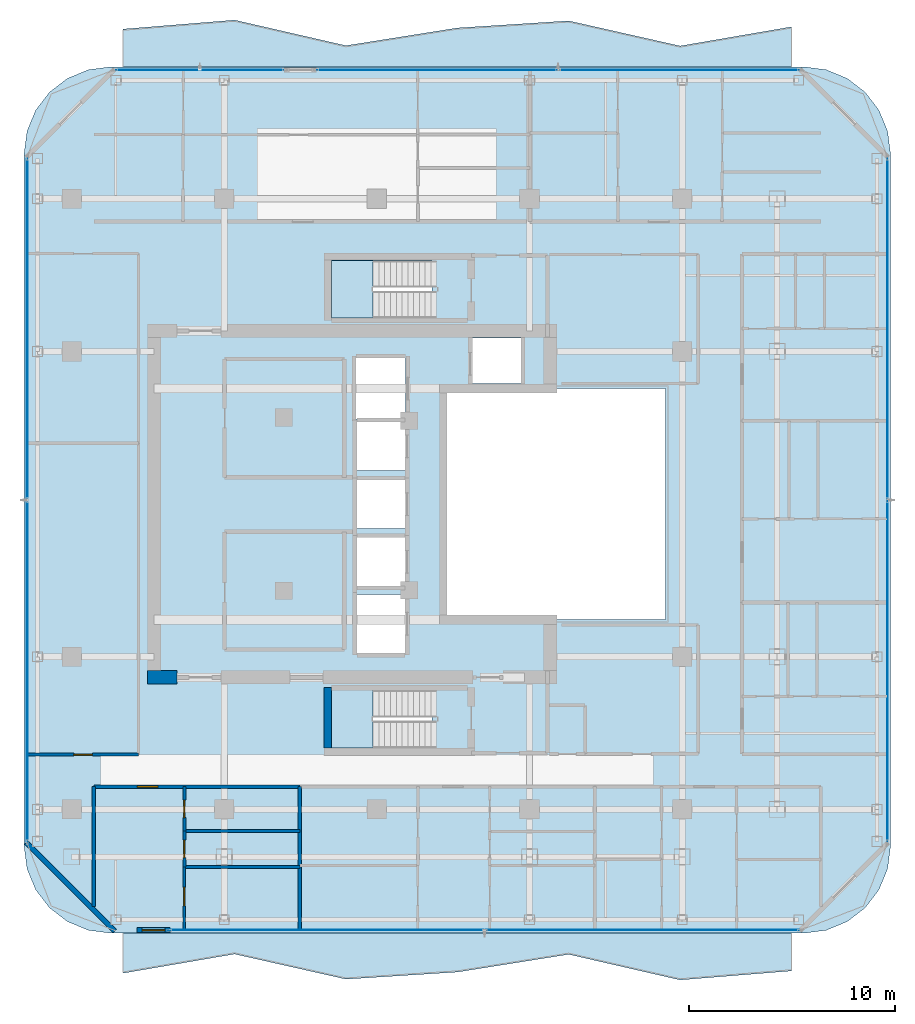
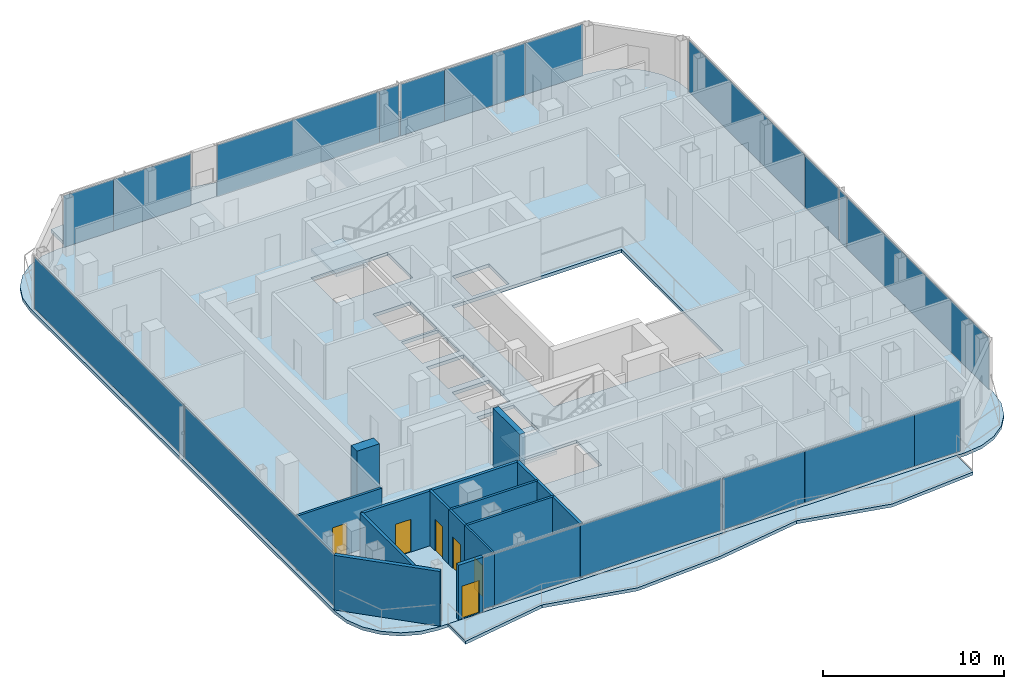
# One storey, part 16 of 26: 19 plates, 13 walls, 6 doors, 5 slabs, 6 openings, 7 elements without a shape of their own.
"""IFC4 building model written with IfcOpenShell, lengths in metres."""

from ifc_helpers import new_model, si_unit, direction, frame, frame_2d, origin, origin_2d, place, context, subcontext, project, spatial, polyline, rectangle, outline, extrude, material, layer, layer_set, type_object, element, fill, aggregate, save


model = new_model("IFC4")

# Units and contexts
model_context = context("Model", 3, precision=1e-05, world=origin(), true_north=direction((0.0, 1.0)))
body_context = subcontext(model_context, "Body", "Model", "MODEL_VIEW")
ifc_project = project(units=[si_unit("LENGTHUNIT", "METRE"), si_unit("AREAUNIT", "SQUARE_METRE"), si_unit("VOLUMEUNIT", "CUBIC_METRE"), si_unit("PLANEANGLEUNIT", "RADIAN"), si_unit("MASSUNIT", "GRAM", prefix="KILO")], contexts=[model_context])

# Site, building, storey
site_placement = place(None, origin())
site = spatial("IfcSite", under=ifc_project, at=site_placement, CompositionType="ELEMENT")
building_placement = place(site_placement, origin())
building = spatial("IfcBuilding", under=site, at=building_placement, Name="Khorvyn Point Tower", CompositionType="ELEMENT")
storey_placement = place(building_placement, frame((0.0, 0.0, 262.5)))
storey = spatial("IfcBuildingStorey", under=building, at=storey_placement, Name="L64", CompositionType="ELEMENT", Elevation=262.5)

# Slabs
ifc_material_1 = material(Name="Concrete C35/45", Category="concrete")
ifc_layer_1 = layer(ifc_material_1, 0.219970703125)
ifc_layer_set_1 = layer_set([ifc_layer_1], Name="Concrete C35/45 Structural Floor Slab 220")
slab_type_1 = type_object("IfcSlabType", Name="Concrete C35/45 Structural Floor Slab 220", PredefinedType="FLOOR", material=ifc_layer_set_1)
slab_1_placement = place(storey_placement, frame((0.0, 0.0, -0.219970703125)))
element("IfcSlab", 1, at=slab_1_placement, inside=storey, type_object=slab_type_1, Name="L64 Main Structural Floor Slab", PredefinedType="FLOOR", context=body_context, shape_type="SweptSolid", body=[
    extrude(outline(polyline([(-12.89990234375, -20.800048828125), (-13.987060546875, -20.656982421875), (-15.0, -20.2373046875), (-15.869873046875, -19.56982421875), (-16.537353515625, -18.699951171875), (-16.956787109375, -17.68701171875), (-17.10009765625, -16.60009765625), (-17.10009765625, 17.0), (-16.956787109375, 18.0869140625), (-16.537353515625, 19.10009765625), (-15.869873046875, 19.9697265625), (-15.0, 20.63720703125), (-13.987060546875, 21.056884765625), (-12.89990234375, 21.199951171875), (20.699951171875, 21.199951171875), (21.787109375, 21.056884765625), (22.800048828125, 20.63720703125), (23.669921875, 19.9697265625), (24.33740234375, 19.10009765625), (24.7568359375, 18.0869140625), (24.89990234375, 17.0), (24.89990234375, -16.60009765625), (24.7568359375, -17.68701171875), (24.33740234375, -18.699951171875), (23.669921875, -19.56982421875), (22.800048828125, -20.2373046875), (21.787109375, -20.656982421875), (20.699951171875, -20.800048828125), (-12.89990234375, -20.800048828125)]), holes=[polyline([(2.679931640625, -11.820068359375), (2.679931640625, -9.02001953125), (-2.199951171875, -9.02001953125), (-2.199951171875, -11.820068359375), (2.679931640625, -11.820068359375)]), polyline([(1.375, -7.22509765625), (1.375, -4.375), (-0.97509765625, -4.375), (-0.97509765625, -7.22509765625), (1.375, -7.22509765625)]), polyline([(1.375, -3.97509765625), (1.375, -1.625), (-0.97509765625, -1.625), (-0.97509765625, -3.97509765625), (1.375, -3.97509765625)]), polyline([(1.375, -1.175048828125), (1.375, 1.175048828125), (-0.97509765625, 1.175048828125), (-0.97509765625, -1.175048828125), (1.375, -1.175048828125)]), polyline([(14.0, -5.60009765625), (14.0, 5.60009765625), (3.199951171875, 5.60009765625), (3.199951171875, -5.60009765625), (14.0, -5.60009765625)]), polyline([(1.375, 1.625), (1.375, 3.97509765625), (-0.97509765625, 3.97509765625), (-0.97509765625, 1.625), (1.375, 1.625)]), polyline([(1.39990234375, 4.125), (1.39990234375, 7.074951171875), (-1.0, 7.074951171875), (-1.0, 4.125), (1.39990234375, 4.125)]), polyline([(4.625, 5.85009765625), (6.97509765625, 5.85009765625), (6.97509765625, 8.054931640625), (4.625, 8.054931640625), (4.625, 5.85009765625)]), polyline([(-2.199951171875, 9.02001953125), (2.679931640625, 9.02001953125), (2.679931640625, 11.820068359375), (-2.199951171875, 11.820068359375), (-2.199951171875, 9.02001953125)])]), origin(), (0.0, 0.0, 1.0), 0.219970703125),
])
ifc_material_2 = material(Name="Concrete C40/50", Category="concrete")
ifc_layer_2 = layer(ifc_material_2, 0.2099609375)
ifc_layer_set_2 = layer_set([ifc_layer_2], Name="Concrete C40/50 Rippling Balcony Slab 210")
slab_type_2 = type_object("IfcSlabType", Name="Concrete C40/50 Rippling Balcony Slab 210", PredefinedType="USERDEFINED", material=ifc_layer_set_2)
slab_2_placement = place(storey_placement, frame((0.0, 0.0, -0.2099609375)))
element("IfcSlab", 2, at=slab_2_placement, inside=storey, type_object=slab_type_2, Name="L64 North Sinusoidal Rippling Balcony", ObjectType="BALCONY", PredefinedType="USERDEFINED", context=body_context, shape_type="SweptSolid", body=[
    extrude(outline(polyline([(20.10009765625, 21.199951171875), (20.10009765625, 23.1416015625), (14.699951171875, 22.21240234375), (9.300048828125, 23.43017578125), (3.89990234375, 23.086669921875), (-1.5, 22.22802734375), (-6.89990234375, 23.46875), (-12.300048828125, 23.031005859375), (-12.300048828125, 21.199951171875), (20.10009765625, 21.199951171875)])), origin(), (0.0, 0.0, 1.0), 0.2099609375),
])
slab_3_placement = place(storey_placement, frame((0.0, 0.0, -0.2099609375)))
element("IfcSlab", 3, at=slab_3_placement, inside=storey, type_object=slab_type_2, Name="L64 South Sinusoidal Rippling Balcony", ObjectType="BALCONY", PredefinedType="USERDEFINED", context=body_context, shape_type="SweptSolid", body=[
    extrude(outline(polyline([(-12.300048828125, -20.800048828125), (-12.300048828125, -22.741455078125), (-6.89990234375, -21.8125), (-1.5, -23.0302734375), (3.89990234375, -22.686767578125), (9.300048828125, -21.827880859375), (14.699951171875, -23.06884765625), (20.10009765625, -22.630859375), (20.10009765625, -20.800048828125), (-12.300048828125, -20.800048828125)])), origin(), (0.0, 0.0, 1.0), 0.2099609375),
])

# Stair, slab
stair_type = type_object("IfcStairType", Name="Tower Concrete C40/50 Dogleg Exit Stair", PredefinedType="HALF_TURN_STAIR", material=ifc_material_2)
stair_1_placement = place(storey_placement, origin())
stair_1 = element("IfcStair", 4, at=stair_1_placement, inside=storey, type_object=stair_type, Name="L64 Tower Smokeproof Exit Stair South", PredefinedType="HALF_TURN_STAIR")
ifc_layer_3 = layer(ifc_material_2, 0.199951171875)
ifc_layer_set_3 = layer_set([ifc_layer_3], Name="Concrete C40/50 Stair Landing Slab 200")
slab_type_3 = type_object("IfcSlabType", Name="Concrete C40/50 Stair Landing Slab 200", PredefinedType="LANDING", material=ifc_layer_set_3)
slab_4_placement = place(storey_placement, frame((0.0, 0.0, 1.75)))
slab_4 = element("IfcSlab", 5, at=slab_4_placement, type_object=slab_type_3, Name="ST-01 landing 1", PredefinedType="LANDING", context=body_context, shape_type="SweptSolid", body=[
    extrude(outline(polyline([(-0.179931640625, -9.02001953125), (-2.199951171875, -9.02001953125), (-2.199951171875, -11.820068359375), (-0.179931640625, -11.820068359375), (-0.179931640625, -9.02001953125)])), origin(), (0.0, 0.0, 1.0), 0.199951171875),
])
aggregate(stair_1, [slab_4])

stair_2_placement = place(storey_placement, origin())
stair_2 = element("IfcStair", 6, at=stair_2_placement, inside=storey, type_object=stair_type, Name="L64 Tower Smokeproof Exit Stair North", PredefinedType="HALF_TURN_STAIR")
slab_5_placement = place(storey_placement, frame((0.0, 0.0, 1.75)))
slab_5 = element("IfcSlab", 7, at=slab_5_placement, type_object=slab_type_3, Name="ST-02 landing 1", PredefinedType="LANDING", context=body_context, shape_type="SweptSolid", body=[
    extrude(outline(polyline([(-0.179931640625, 11.820068359375), (-2.199951171875, 11.820068359375), (-2.199951171875, 9.02001953125), (-0.179931640625, 9.02001953125), (-0.179931640625, 11.820068359375)])), origin(), (0.0, 0.0, 1.0), 0.199951171875),
])
aggregate(stair_2, [slab_5])

# Curtain wall, plates
ifc_material_3 = material(Name="Anodised aluminium 6063-T6 and laminated Low-E glass", Category="aluminium")
ifc_layer_4 = layer(ifc_material_3, 0.18994140625)
ifc_layer_set_4 = layer_set([ifc_layer_4], Name="Stick-Built High-Wind Curtain Wall CW-SYS-04")
curtain_wall_type = type_object("IfcCurtainWallType", Name="Stick-Built High-Wind Curtain Wall CW-SYS-04", PredefinedType="NOTDEFINED", material=ifc_layer_set_4)
curtain_wall_1_placement = place(storey_placement, origin())
curtain_wall_1 = element("IfcCurtainWall", 8, at=curtain_wall_1_placement, inside=storey, type_object=curtain_wall_type, Name="Curtain Wall", PredefinedType="NOTDEFINED")
ifc_material_4 = material(Name="Laminated Low-E insulated glass", Category="glass")
ifc_layer_5 = layer(ifc_material_4, 0.028076171875)
ifc_layer_set_5 = layer_set([ifc_layer_5], Name="Tempered Low-E Vision Glazing Panel CW-GL28")
plate_type = type_object("IfcPlateType", Name="Tempered Low-E Vision Glazing Panel CW-GL28", PredefinedType="CURTAIN_PANEL", material=ifc_layer_set_5)
plate_1_placement = place(storey_placement, frame((7.88818359375, -20.64990234375, 0.10009765625), z_axis=(0.0, 0.0, 1.0), x_axis=(-1.0, 0.0, 0.0)))
plate_1 = element("IfcPlate", 9, at=plate_1_placement, type_object=plate_type, Name="Panel", PredefinedType="CURTAIN_PANEL", context=body_context, shape_type="SweptSolid", body=[
    extrude(rectangle(XDim=5.2275390625, YDim=0.028076171875, at=origin_2d()), origin(), (0.0, 0.0, 1.0), 3.47998046875),
])
plate_2_placement = place(storey_placement, frame((14.00439453125, -20.64990234375, 0.10009765625), z_axis=(0.0, 0.0, 1.0), x_axis=(-1.0, 0.0, 0.0)))
plate_2 = element("IfcPlate", 10, at=plate_2_placement, type_object=plate_type, Name="Panel", PredefinedType="CURTAIN_PANEL", context=body_context, shape_type="SweptSolid", body=[
    extrude(rectangle(XDim=6.989013671875, YDim=0.028076171875, at=origin_2d()), origin(), (0.0, 0.0, 1.0), 3.47998046875),
])
plate_3_placement = place(storey_placement, frame((18.9765625, -20.64990234375, 0.10009765625), z_axis=(0.0, 0.0, 1.0), x_axis=(-1.0, 0.0, 0.0)))
plate_3 = element("IfcPlate", 11, at=plate_3_placement, type_object=plate_type, Name="Panel", PredefinedType="CURTAIN_PANEL", context=body_context, shape_type="SweptSolid", body=[
    extrude(rectangle(XDim=2.93896484375, YDim=0.028076171875, at=origin_2d()), origin(), (0.0, 0.0, 1.0), 3.47998046875),
])
plate_4_placement = place(storey_placement, frame((-9.637939453125, -20.64990234375, 0.10009765625), z_axis=(0.0, 0.0, 1.0), x_axis=(-1.0, 0.0, 0.0)))
plate_4 = element("IfcPlate", 12, at=plate_4_placement, type_object=plate_type, Name="Panel", PredefinedType="CURTAIN_PANEL", context=body_context, shape_type="SweptSolid", body=[
    extrude(rectangle(XDim=0.73388671875, YDim=0.028076171875, at=origin_2d()), origin(), (0.0, 0.0, 1.0), 3.47998046875),
])
plate_5_placement = place(storey_placement, frame((-6.531005859375, -20.64990234375, 0.10009765625), z_axis=(0.0, 0.0, 1.0), x_axis=(-1.0, 0.0, 0.0)))
plate_5 = element("IfcPlate", 13, at=plate_5_placement, type_object=plate_type, Name="Panel", PredefinedType="CURTAIN_PANEL", context=body_context, shape_type="SweptSolid", body=[
    extrude(rectangle(XDim=5.464111328125, YDim=0.028076171875, at=origin_2d()), origin(), (0.0, 0.0, 1.0), 3.47998046875),
])
plate_6_placement = place(storey_placement, frame((0.687744140625, -20.64990234375, 0.10009765625), z_axis=(0.0, 0.0, 1.0), x_axis=(-1.0, 0.0, 0.0)))
plate_6 = element("IfcPlate", 14, at=plate_6_placement, type_object=plate_type, Name="Panel", PredefinedType="CURTAIN_PANEL", context=body_context, shape_type="SweptSolid", body=[
    extrude(rectangle(XDim=8.95751953125, YDim=0.028076171875, at=origin_2d()), origin(), (0.0, 0.0, 1.0), 3.47998046875),
])
aggregate(curtain_wall_1, [plate_1, plate_2, plate_3, plate_4, plate_5, plate_6])

curtain_wall_2_placement = place(storey_placement, origin())
curtain_wall_2 = element("IfcCurtainWall", 15, at=curtain_wall_2_placement, inside=storey, type_object=curtain_wall_type, Name="Curtain Wall", PredefinedType="NOTDEFINED")
plate_7_placement = place(storey_placement, frame((-11.052490234375, 21.050048828125, 0.10009765625), z_axis=(0.0, 0.0, 1.0), x_axis=(1.0, 0.0, 0.0)))
plate_7 = element("IfcPlate", 16, at=plate_7_placement, type_object=plate_type, Name="Panel", PredefinedType="CURTAIN_PANEL", context=body_context, shape_type="SweptSolid", body=[
    extrude(rectangle(XDim=3.18701171875, YDim=0.028076171875, at=origin_2d()), origin(), (0.0, 0.0, 1.0), 3.47998046875),
])
plate_8_placement = place(storey_placement, frame((-6.989990234375, 21.050048828125, 0.10009765625), z_axis=(0.0, 0.0, 1.0), x_axis=(1.0, 0.0, 0.0)))
plate_8 = element("IfcPlate", 17, at=plate_8_placement, type_object=plate_type, Name="Panel", PredefinedType="CURTAIN_PANEL", context=body_context, shape_type="SweptSolid", body=[
    extrude(rectangle(XDim=4.922119140625, YDim=0.028076171875, at=origin_2d()), origin(), (0.0, 0.0, 1.0), 3.47998046875),
])
aggregate(curtain_wall_2, [plate_7, plate_8])

curtain_wall_3_placement = place(storey_placement, origin())
curtain_wall_3 = element("IfcCurtainWall", 18, at=curtain_wall_3_placement, inside=storey, type_object=curtain_wall_type, Name="Curtain Wall", PredefinedType="NOTDEFINED")
plate_9_placement = place(storey_placement, frame((2.299560546875, 21.050048828125, 0.10009765625), z_axis=(0.0, 0.0, 1.0), x_axis=(1.0, 0.0, 0.0)))
plate_9 = element("IfcPlate", 19, at=plate_9_placement, type_object=plate_type, Name="Panel", PredefinedType="CURTAIN_PANEL", context=body_context, shape_type="SweptSolid", body=[
    extrude(rectangle(XDim=10.361083984375, YDim=0.028076171875, at=origin_2d()), origin(), (0.0, 0.0, 1.0), 3.47998046875),
])
plate_10_placement = place(storey_placement, frame((8.108154296875, 21.050048828125, 0.10009765625), z_axis=(0.0, 0.0, 1.0), x_axis=(1.0, 0.0, 0.0)))
plate_10 = element("IfcPlate", 20, at=plate_10_placement, type_object=plate_type, Name="Panel", PredefinedType="CURTAIN_PANEL", context=body_context, shape_type="SweptSolid", body=[
    extrude(rectangle(XDim=1.240478515625, YDim=0.028076171875, at=origin_2d()), origin(), (0.0, 0.0, 1.0), 3.47998046875),
])
plate_11_placement = place(storey_placement, frame((10.228271484375, 21.050048828125, 0.10009765625), z_axis=(0.0, 0.0, 1.0), x_axis=(1.0, 0.0, 0.0)))
plate_11 = element("IfcPlate", 21, at=plate_11_placement, type_object=plate_type, Name="Panel", PredefinedType="CURTAIN_PANEL", context=body_context, shape_type="SweptSolid", body=[
    extrude(rectangle(XDim=2.783447265625, YDim=0.028076171875, at=origin_2d()), origin(), (0.0, 0.0, 1.0), 3.47998046875),
])
plate_12_placement = place(storey_placement, frame((14.2109375, 21.050048828125, 0.10009765625), z_axis=(0.0, 0.0, 1.0), x_axis=(1.0, 0.0, 0.0)))
plate_12 = element("IfcPlate", 22, at=plate_12_placement, type_object=plate_type, Name="Panel", PredefinedType="CURTAIN_PANEL", context=body_context, shape_type="SweptSolid", body=[
    extrude(rectangle(XDim=5.166015625, YDim=0.028076171875, at=origin_2d()), origin(), (0.0, 0.0, 1.0), 3.47998046875),
])
plate_13_placement = place(storey_placement, frame((18.6240234375, 21.050048828125, 0.10009765625), z_axis=(0.0, 0.0, 1.0), x_axis=(1.0, 0.0, 0.0)))
plate_13 = element("IfcPlate", 23, at=plate_13_placement, type_object=plate_type, Name="Panel", PredefinedType="CURTAIN_PANEL", context=body_context, shape_type="SweptSolid", body=[
    extrude(rectangle(XDim=3.64404296875, YDim=0.028076171875, at=origin_2d()), origin(), (0.0, 0.0, 1.0), 3.47998046875),
])
aggregate(curtain_wall_3, [plate_9, plate_10, plate_11, plate_12, plate_13])

curtain_wall_4_placement = place(storey_placement, origin())
curtain_wall_4 = element("IfcCurtainWall", 24, at=curtain_wall_4_placement, inside=storey, type_object=curtain_wall_type, Name="Curtain Wall", PredefinedType="NOTDEFINED")
plate_14_placement = place(storey_placement, frame((-16.949951171875, -8.10009765625, 0.10009765625), z_axis=(0.0, 0.0, 1.0), x_axis=(0.0, 1.0, 0.0)))
plate_14 = element("IfcPlate", 25, at=plate_14_placement, type_object=plate_type, Name="Panel", PredefinedType="CURTAIN_PANEL", context=body_context, shape_type="SweptSolid", body=[
    extrude(rectangle(XDim=16.5, YDim=0.028076171875, at=origin_2d()), origin(), (0.0, 0.0, 1.0), 3.47998046875),
])
plate_15_placement = place(storey_placement, frame((-16.949951171875, 8.5, 0.10009765625), z_axis=(0.0, 0.0, 1.0), x_axis=(0.0, 1.0, 0.0)))
plate_15 = element("IfcPlate", 26, at=plate_15_placement, type_object=plate_type, Name="Panel", PredefinedType="CURTAIN_PANEL", context=body_context, shape_type="SweptSolid", body=[
    extrude(rectangle(XDim=16.5, YDim=0.028076171875, at=origin_2d()), origin(), (0.0, 0.0, 1.0), 3.47998046875),
])
aggregate(curtain_wall_4, [plate_14, plate_15])

curtain_wall_5_placement = place(storey_placement, origin())
curtain_wall_5 = element("IfcCurtainWall", 27, at=curtain_wall_5_placement, inside=storey, type_object=curtain_wall_type, Name="Curtain Wall", PredefinedType="NOTDEFINED")
plate_16_placement = place(storey_placement, frame((24.75, 2.114990234375, 0.10009765625), z_axis=(0.0, 0.0, 1.0), x_axis=(0.0, -1.0, 0.0)))
plate_16 = element("IfcPlate", 28, at=plate_16_placement, type_object=plate_type, Name="Panel", PredefinedType="CURTAIN_PANEL", context=body_context, shape_type="SweptSolid", body=[
    extrude(rectangle(XDim=3.721923828125, YDim=0.028076171875, at=origin_2d()), origin(), (0.0, 0.0, 1.0), 3.47998046875),
])
plate_17_placement = place(storey_placement, frame((24.75, 10.364990234375, 0.10009765625), z_axis=(0.0, 0.0, 1.0), x_axis=(0.0, -1.0, 0.0)))
plate_17 = element("IfcPlate", 29, at=plate_17_placement, type_object=plate_type, Name="Panel", PredefinedType="CURTAIN_PANEL", context=body_context, shape_type="SweptSolid", body=[
    extrude(rectangle(XDim=12.761962890625, YDim=0.028076171875, at=origin_2d()), origin(), (0.0, 0.0, 1.0), 3.47998046875),
])
plate_18_placement = place(storey_placement, frame((24.75, -8.5029296875, 0.10009765625), z_axis=(0.0, 0.0, 1.0), x_axis=(0.0, -1.0, 0.0)))
plate_18 = element("IfcPlate", 30, at=plate_18_placement, type_object=plate_type, Name="Panel", PredefinedType="CURTAIN_PANEL", context=body_context, shape_type="SweptSolid", body=[
    extrude(rectangle(XDim=15.68603515625, YDim=0.028076171875, at=origin_2d()), origin(), (0.0, 0.0, 1.0), 3.47998046875),
])
plate_19_placement = place(storey_placement, frame((24.75, -0.2529296875, 0.10009765625), z_axis=(0.0, 0.0, 1.0), x_axis=(0.0, -1.0, 0.0)))
plate_19 = element("IfcPlate", 31, at=plate_19_placement, type_object=plate_type, Name="Panel", PredefinedType="CURTAIN_PANEL", context=body_context, shape_type="SweptSolid", body=[
    extrude(rectangle(XDim=0.798095703125, YDim=0.028076171875, at=origin_2d()), origin(), (0.0, 0.0, 1.0), 3.47998046875),
])
aggregate(curtain_wall_5, [plate_16, plate_17, plate_18, plate_19])

# Wall, opening, door
ifc_material_5 = material(Name="Double acoustic gypsum on twin steel stud", Category="steel")
ifc_layer_6 = layer(ifc_material_5, 0.179931640625)
ifc_layer_set_6 = layer_set([ifc_layer_6], Name="Acoustic Double-Stud Apartment Demising Wall 180")
wall_type_1 = type_object("IfcWallType", Name="Acoustic Double-Stud Apartment Demising Wall 180", PredefinedType="PARTITIONING", material=ifc_layer_set_6)
wall_1_placement = place(storey_placement, frame((-13.719970703125, -13.699951171875, 0.0), z_axis=(0.0, 0.0, 1.0), x_axis=(1.0, 0.0, 0.0)))
wall_1 = element("IfcWall", 32, at=wall_1_placement, inside=storey, type_object=wall_type_1, Name="Wall", PredefinedType="PARTITIONING", context=body_context, shape_type="SweptSolid", body=[
    extrude(rectangle(XDim=9.98486328125, YDim=0.179931640625, at=frame_2d((4.992431640625, 0.0))), origin(), (0.0, 0.0, 1.0), 3.679931640625),
])
opening_1_placement = place(wall_1_placement, frame((2.105224609375, 0.0, 0.0)))
opening_1 = element("IfcOpeningElement", 33, at=opening_1_placement, cuts=wall_1, Name="Opening ID-AP60", PredefinedType="OPENING", context=body_context, shape_type="SweptSolid", body=[
    extrude(rectangle(XDim=1.0, YDim=2.199951171875, at=frame_2d((0.5, 1.10009765625))), frame((0.0, 0.099853515625, 0.0), z_axis=(0.0, -1.0, 0.0), x_axis=(1.0, 0.0, 0.0)), (0.0, 0.0, 1.0), 0.199951171875),
])
ifc_material_6 = material(Name="Engineered hardwood fire-rated leaf", Category="wood")
door_type_1 = type_object("IfcDoorType", Name="Acoustic Solid-Core Timber Apartment Entrance Door 1000x2200", OperationType="NOTDEFINED", PredefinedType="DOOR", material=ifc_material_6)
door_1_placement = place(opening_1_placement, origin())
door_1 = element("IfcDoor", 34, at=door_1_placement, inside=storey, type_object=door_type_1, Name="Door", OperationType="SINGLE_SWING_RIGHT", OverallHeight=2.199951171875, OverallWidth=1.0, PredefinedType="DOOR", context=body_context, shape_type="SweptSolid", body=[
    extrude(rectangle(XDim=1.0, YDim=2.199951171875, at=frame_2d((0.5, 1.10009765625))), frame((0.0, 0.02490234375, 0.0), z_axis=(0.0, -1.0, 0.0), x_axis=(1.0, 0.0, 0.0)), (0.0, 0.0, 1.0), 0.050048828125),
])
fill(opening_1, door_1)

# Walls
wall_2_placement = place(storey_placement, frame((-13.719970703125, -19.510009765625, 0.0), z_axis=(0.0, 0.0, 1.0), x_axis=(0.0, 1.0, 0.0)))
element("IfcWall", 35, at=wall_2_placement, inside=storey, type_object=wall_type_1, Name="Wall", PredefinedType="PARTITIONING", context=body_context, shape_type="SweptSolid", body=[
    extrude(rectangle(XDim=5.81005859375, YDim=0.179931640625, at=frame_2d((2.905029296875, 0.0))), origin(), (0.0, 0.0, 1.0), 3.679931640625),
])
wall_3_placement = place(storey_placement, frame((-3.735107421875, -20.6298828125, 0.0), z_axis=(0.0, 0.0, 1.0), x_axis=(0.0, 1.0, 0.0)))
element("IfcWall", 36, at=wall_3_placement, inside=storey, type_object=wall_type_1, Name="Wall", PredefinedType="PARTITIONING", context=body_context, shape_type="SweptSolid", body=[
    extrude(rectangle(XDim=6.929931640625, YDim=0.179931640625, at=frame_2d((3.46484375, 0.0))), origin(), (0.0, 0.0, 1.0), 3.679931640625),
])

# Wall, opening, door
ifc_material_7 = material(Name="Pale anodised aluminium rainscreen on steel stud", Category="steel")
ifc_layer_7 = layer(ifc_material_7, 0.239990234375)
ifc_layer_set_7 = layer_set([ifc_layer_7], Name="Anodised Aluminium Insulated Corner Spandrel Wall 240")
wall_type_2 = type_object("IfcWallType", Name="Anodised Aluminium Insulated Corner Spandrel Wall 240", PredefinedType="SOLIDWALL", material=ifc_layer_set_7)
wall_4_placement = place(storey_placement, frame((-10.0390625, -20.64990234375, 0.0), z_axis=(0.0, 0.0, 1.0), x_axis=(-1.0, 0.0, 0.0)))
wall_4 = element("IfcWall", 37, at=wall_4_placement, inside=storey, type_object=wall_type_2, Name="L64 South Outdoor Threshold Wall", PredefinedType="SOLIDWALL", context=body_context, shape_type="SweptSolid", body=[
    extrude(rectangle(XDim=1.579833984375, YDim=0.239990234375, at=frame_2d((0.7900390625, 0.0))), origin(), (0.0, 0.0, 1.0), 3.679931640625),
])
opening_2_placement = place(wall_4_placement, frame((0.239990234375, 0.0, 0.0)))
opening_2 = element("IfcOpeningElement", 38, at=opening_2_placement, cuts=wall_4, Name="Opening BD-1122", PredefinedType="OPENING", context=body_context, shape_type="SweptSolid", body=[
    extrude(rectangle(XDim=1.10009765625, YDim=2.199951171875, at=frame_2d((0.550048828125, 1.10009765625))), frame((0.0, 0.1298828125, 0.0), z_axis=(0.0, -1.0, 0.0), x_axis=(1.0, 0.0, 0.0)), (0.0, 0.0, 1.0), 0.260009765625),
])
door_type_2 = type_object("IfcDoorType", Name="Glazed Balcony and Terrace Threshold Door 1100x2200", OperationType="NOTDEFINED", PredefinedType="DOOR", material=ifc_material_3)
door_2_placement = place(opening_2_placement, origin())
door_2 = element("IfcDoor", 39, at=door_2_placement, inside=storey, type_object=door_type_2, Name="L64 South Glazed Balcony Outdoor Door", OperationType="SINGLE_SWING_RIGHT", OverallHeight=2.199951171875, OverallWidth=1.10009765625, PredefinedType="DOOR", context=body_context, shape_type="SweptSolid", body=[
    extrude(rectangle(XDim=1.10009765625, YDim=2.199951171875, at=frame_2d((0.550048828125, 1.10009765625))), frame((0.0, 0.02490234375, 0.0), z_axis=(0.0, -1.0, 0.0), x_axis=(1.0, 0.0, 0.0)), (0.0, 0.0, 1.0), 0.050048828125),
])
fill(opening_2, door_2)

# Walls
wall_5_placement = place(storey_placement, frame((-12.70751953125, -20.6923828125, 0.0), z_axis=(0.0, 0.0, 1.0), x_axis=(-0.707126925818, 0.707086635981, 0.0)))
element("IfcWall", 40, at=wall_5_placement, inside=storey, type_object=wall_type_2, Name="L64 Rounded Corner Wall SW", PredefinedType="SOLIDWALL", context=body_context, shape_type="SweptSolid", body=[
    extrude(rectangle(XDim=6.0595703125, YDim=0.239990234375, at=frame_2d((3.02978515625, 0.0))), origin(), (0.0, 0.0, 1.0), 3.679931640625),
])
ifc_layer_8 = layer(ifc_material_2, 0.64990234375)
ifc_layer_set_8 = layer_set([ifc_layer_8], Name="Concrete C40/50 Core Shear Wall 650")
wall_type_3 = type_object("IfcWallType", Name="Concrete C40/50 Core Shear Wall 650", PredefinedType="SHEAR", material=ifc_layer_set_8)
wall_6_placement = place(storey_placement, frame((-11.125, -8.39990234375, 0.0), z_axis=(0.0, 0.0, 1.0), x_axis=(1.0, 0.0, 0.0)))
element("IfcWall", 41, at=wall_6_placement, inside=storey, type_object=wall_type_3, Name="Wall", PredefinedType="SHEAR", context=body_context, shape_type="SweptSolid", body=[
    extrude(rectangle(XDim=1.425048828125, YDim=0.64990234375, at=frame_2d((0.71240234375, 0.0))), origin(), (0.0, 0.0, 1.0), 3.89990234375),
])
ifc_layer_9 = layer(ifc_material_2, 0.35009765625)
ifc_layer_set_9 = layer_set([ifc_layer_9], Name="Concrete C40/50 Stair Shaft Structural Wall 350")
wall_type_4 = type_object("IfcWallType", Name="Concrete C40/50 Stair Shaft Structural Wall 350", PredefinedType="SHEAR", material=ifc_layer_set_9)
wall_7_placement = place(storey_placement, frame((-2.3798828125, -11.824951171875, 0.0), z_axis=(0.0, 0.0, 1.0), x_axis=(0.0, 1.0, 0.0)))
element("IfcWall", 42, at=wall_7_placement, inside=storey, type_object=wall_type_4, Name="L64 ST-01 West Shaft Wall", PredefinedType="SHEAR", context=body_context, shape_type="SweptSolid", body=[
    extrude(rectangle(XDim=2.925048828125, YDim=0.35009765625, at=frame_2d((1.46240234375, 0.0))), origin(), (0.0, 0.0, 1.0), 3.89990234375),
])

# Wall, opening, door
ifc_material_8 = material(Name="Gypsum plasterboard on steel stud", Category="steel")
ifc_layer_10 = layer(ifc_material_8, 0.1201171875)
ifc_layer_set_10 = layer_set([ifc_layer_10], Name="Gypsum Acoustic Stud Room Partition Wall 120")
wall_type_5 = type_object("IfcWallType", Name="Gypsum Acoustic Stud Room Partition Wall 120", PredefinedType="PARTITIONING", material=ifc_layer_set_10)
wall_8_placement = place(storey_placement, frame((-9.326904296875, -20.6298828125, 0.0), z_axis=(0.0, 0.0, 1.0), x_axis=(0.0, 1.0, 0.0)))
wall_8 = element("IfcWall", 43, at=wall_8_placement, inside=storey, type_object=wall_type_5, Name="Wall", PredefinedType="PARTITIONING", context=body_context, shape_type="SweptSolid", body=[
    extrude(rectangle(XDim=3.039794921875, YDim=0.1201171875, at=frame_2d((1.52001953125, 0.0))), origin(), (0.0, 0.0, 1.0), 3.679931640625),
])
opening_3_placement = place(wall_8_placement, frame((1.152587890625, 0.0, 0.0)))
opening_3 = element("IfcOpeningElement", 44, at=opening_3_placement, cuts=wall_8, Name="Opening ID-RM90", PredefinedType="OPENING", context=body_context, shape_type="SweptSolid", body=[
    extrude(rectangle(XDim=0.89990234375, YDim=2.10009765625, at=frame_2d((0.449951171875, 1.050048828125))), frame((0.0, 0.070068359375, 0.0), z_axis=(0.0, -1.0, 0.0), x_axis=(1.0, 0.0, 0.0)), (0.0, 0.0, 1.0), 0.14013671875),
])
ifc_material_9 = material(Name="Engineered oak veneer timber", Category="wood")
door_type_3 = type_object("IfcDoorType", Name="Flush Engineered Timber Room Door 900x2100", OperationType="NOTDEFINED", PredefinedType="DOOR", material=ifc_material_9)
door_3_placement = place(opening_3_placement, origin())
door_3 = element("IfcDoor", 45, at=door_3_placement, inside=storey, type_object=door_type_3, Name="Door", OperationType="SINGLE_SWING_LEFT", OverallHeight=2.10009765625, OverallWidth=0.89990234375, PredefinedType="DOOR", context=body_context, shape_type="SweptSolid", body=[
    extrude(rectangle(XDim=0.89990234375, YDim=2.10009765625, at=frame_2d((0.449951171875, 1.050048828125))), frame((0.0, 0.02490234375, 0.0), z_axis=(0.0, -1.0, 0.0), x_axis=(1.0, 0.0, 0.0)), (0.0, 0.0, 1.0), 0.050048828125),
])
fill(opening_3, door_3)

ifc_material_10 = material(Name="Moisture-resistant gypsum and cement board", Category="gypsum")
ifc_layer_11 = layer(ifc_material_10, 0.14990234375)
ifc_layer_set_11 = layer_set([ifc_layer_11], Name="Moisture-Resistant Wet-Room Partition Wall 150")
wall_type_6 = type_object("IfcWallType", Name="Moisture-Resistant Wet-Room Partition Wall 150", PredefinedType="PARTITIONING", material=ifc_layer_set_11)
wall_9_placement = place(storey_placement, frame((-9.326904296875, -15.839111328125, 0.0), z_axis=(0.0, 0.0, 1.0), x_axis=(0.0, 1.0, 0.0)))
wall_9 = element("IfcWall", 46, at=wall_9_placement, inside=storey, type_object=wall_type_6, Name="Wall", PredefinedType="PARTITIONING", context=body_context, shape_type="SweptSolid", body=[
    extrude(rectangle(XDim=2.13916015625, YDim=0.14990234375, at=frame_2d((1.069580078125, 0.0))), origin(), (0.0, 0.0, 1.0), 3.679931640625),
])
opening_4_placement = place(wall_9_placement, frame((0.64453125, 0.0, 0.0)))
opening_4 = element("IfcOpeningElement", 47, at=opening_4_placement, cuts=wall_9, Name="Opening ID-WC85", PredefinedType="OPENING", context=body_context, shape_type="SweptSolid", body=[
    extrude(rectangle(XDim=0.85009765625, YDim=2.10009765625, at=frame_2d((0.425048828125, 1.050048828125))), frame((0.0, 0.0849609375, 0.0), z_axis=(0.0, -1.0, 0.0), x_axis=(1.0, 0.0, 0.0)), (0.0, 0.0, 1.0), 0.169921875),
])
ifc_material_11 = material(Name="High-pressure laminate on moisture-resistant core", Category="wood")
door_type_4 = type_object("IfcDoorType", Name="Moisture-Resistant Accessible Washroom Door 850x2100", OperationType="NOTDEFINED", PredefinedType="DOOR", material=ifc_material_11)
door_4_placement = place(opening_4_placement, origin())
door_4 = element("IfcDoor", 48, at=door_4_placement, inside=storey, type_object=door_type_4, Name="Door", OperationType="SINGLE_SWING_LEFT", OverallHeight=2.10009765625, OverallWidth=0.85009765625, PredefinedType="DOOR", context=body_context, shape_type="SweptSolid", body=[
    extrude(rectangle(XDim=0.85009765625, YDim=2.10009765625, at=frame_2d((0.425048828125, 1.050048828125))), frame((0.0, 0.02490234375, 0.0), z_axis=(0.0, -1.0, 0.0), x_axis=(1.0, 0.0, 0.0)), (0.0, 0.0, 1.0), 0.050048828125),
])
fill(opening_4, door_4)

wall_10_placement = place(storey_placement, frame((-9.326904296875, -17.590087890625, 0.0), z_axis=(0.0, 0.0, 1.0), x_axis=(0.0, 1.0, 0.0)))
wall_10 = element("IfcWall", 49, at=wall_10_placement, inside=storey, type_object=wall_type_6, Name="Wall", PredefinedType="PARTITIONING", context=body_context, shape_type="SweptSolid", body=[
    extrude(rectangle(XDim=1.7509765625, YDim=0.14990234375, at=frame_2d((0.87548828125, 0.0))), origin(), (0.0, 0.0, 1.0), 3.679931640625),
])
opening_5_placement = place(wall_10_placement, frame((0.450439453125, 0.0, 0.0)))
opening_5 = element("IfcOpeningElement", 50, at=opening_5_placement, cuts=wall_10, Name="Opening ID-WC85", PredefinedType="OPENING", context=body_context, shape_type="SweptSolid", body=[
    extrude(rectangle(XDim=0.85009765625, YDim=2.10009765625, at=frame_2d((0.425048828125, 1.050048828125))), frame((0.0, 0.0849609375, 0.0), z_axis=(0.0, -1.0, 0.0), x_axis=(1.0, 0.0, 0.0)), (0.0, 0.0, 1.0), 0.169921875),
])
door_5_placement = place(opening_5_placement, origin())
door_5 = element("IfcDoor", 51, at=door_5_placement, inside=storey, type_object=door_type_4, Name="Door", OperationType="SINGLE_SWING_RIGHT", OverallHeight=2.10009765625, OverallWidth=0.85009765625, PredefinedType="DOOR", context=body_context, shape_type="SweptSolid", body=[
    extrude(rectangle(XDim=0.85009765625, YDim=2.10009765625, at=frame_2d((0.425048828125, 1.050048828125))), frame((0.0, 0.02490234375, 0.0), z_axis=(0.0, -1.0, 0.0), x_axis=(1.0, 0.0, 0.0)), (0.0, 0.0, 1.0), 0.050048828125),
])
fill(opening_5, door_5)

wall_11_placement = place(storey_placement, frame((-16.929931640625, -12.139892578125, 0.0), z_axis=(0.0, 0.0, 1.0), x_axis=(1.0, 0.0, 0.0)))
wall_11 = element("IfcWall", 52, at=wall_11_placement, inside=storey, type_object=wall_type_6, Name="Wall", PredefinedType="PARTITIONING", context=body_context, shape_type="SweptSolid", body=[
    extrude(rectangle(XDim=5.3798828125, YDim=0.14990234375, at=frame_2d((2.68994140625, 0.0))), origin(), (0.0, 0.0, 1.0), 3.679931640625),
])
opening_6_placement = place(wall_11_placement, frame((2.239990234375, 0.0, 0.0)))
opening_6 = element("IfcOpeningElement", 53, at=opening_6_placement, cuts=wall_11, Name="Opening ID-RM90", PredefinedType="OPENING", context=body_context, shape_type="SweptSolid", body=[
    extrude(rectangle(XDim=0.89990234375, YDim=2.10009765625, at=frame_2d((0.449951171875, 1.050048828125))), frame((0.0, 0.0849609375, 0.0), z_axis=(0.0, -1.0, 0.0), x_axis=(1.0, 0.0, 0.0)), (0.0, 0.0, 1.0), 0.169921875),
])
door_6_placement = place(opening_6_placement, origin())
door_6 = element("IfcDoor", 54, at=door_6_placement, inside=storey, type_object=door_type_3, Name="Door", OperationType="SINGLE_SWING_LEFT", OverallHeight=2.10009765625, OverallWidth=0.89990234375, PredefinedType="DOOR", context=body_context, shape_type="SweptSolid", body=[
    extrude(rectangle(XDim=0.89990234375, YDim=2.10009765625, at=frame_2d((0.449951171875, 1.050048828125))), frame((0.0, 0.02490234375, 0.0), z_axis=(0.0, -1.0, 0.0), x_axis=(1.0, 0.0, 0.0)), (0.0, 0.0, 1.0), 0.050048828125),
])
fill(opening_6, door_6)

# Walls
for number, where, z_axis, x_axis, name in (
    (55, (-9.326904296875, -15.839111328125, 0.0), (0.0, 0.0, 1.0), (1.0, 0.0, 0.0), "Wall"),
    (56, (-9.326904296875, -17.590087890625, 0.0), (0.0, 0.0, 1.0), (1.0, 0.0, 0.0), "Wall"),
):
    element("IfcWall", number, at=place(storey_placement, frame(where, z_axis=z_axis, x_axis=x_axis)), inside=storey, type_object=wall_type_6, Name=name, PredefinedType="PARTITIONING", context=body_context, shape_type="SweptSolid", body=[
        extrude(rectangle(XDim=5.591796875, YDim=0.14990234375, at=frame_2d((2.7958984375, 0.0))), origin(), (0.0, 0.0, 1.0), 3.679931640625),
    ])

save(model, "model.ifc")
